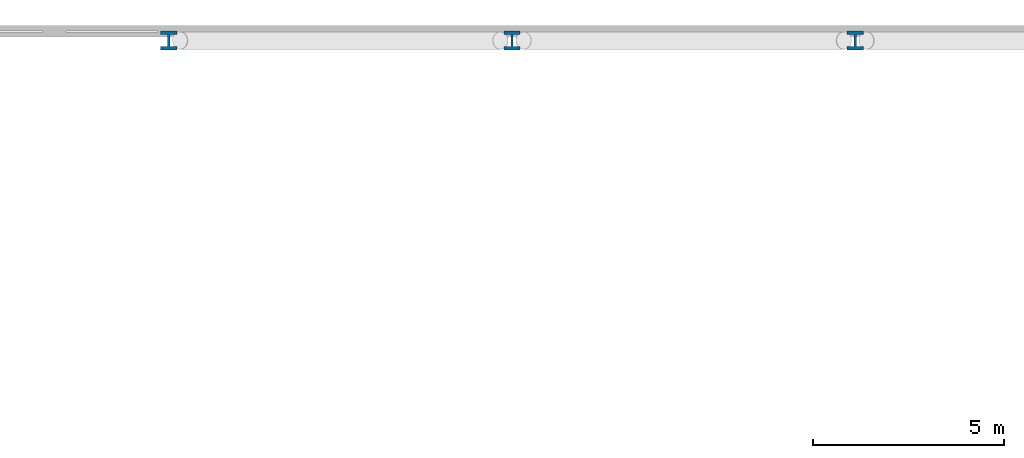
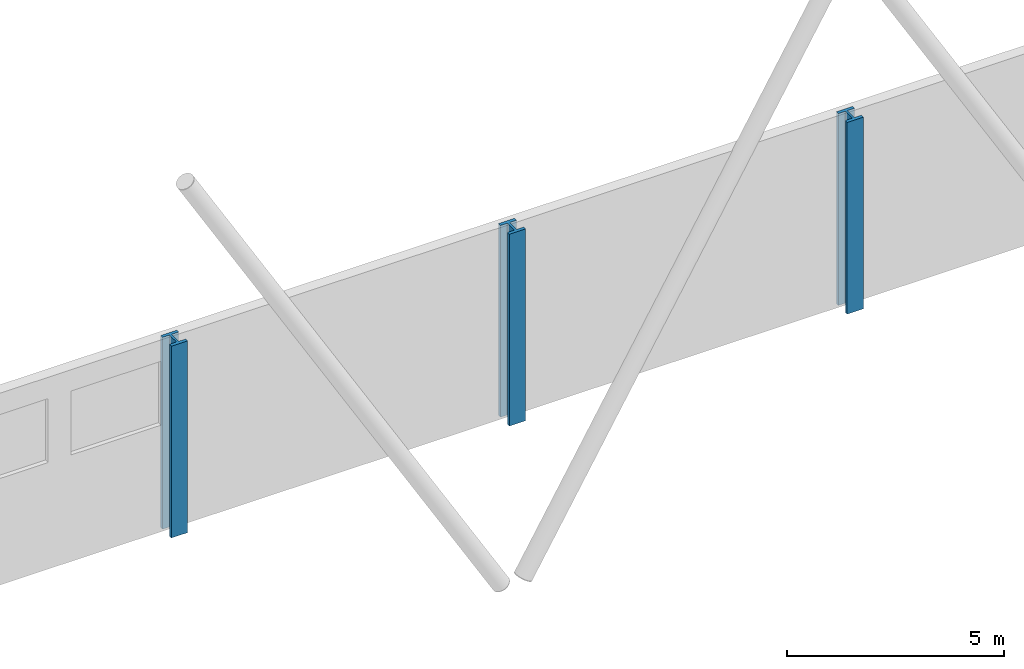
# One storey, part 6 of 46: 3 columns.
"""IFC4 building model written with IfcOpenShell, lengths in metres."""

from ifc_helpers import new_model, si_unit, direction, frame, origin, origin_2d, place, context, subcontext, project, spatial, i_section, extrude, material, material_profile, profile_set, type_object, element, save


model = new_model("IFC4")

# Units and contexts
model_context = context("Model", 3, precision=1e-05, world=origin(), true_north=direction((0.0, 1.0)))
body_context = subcontext(model_context, "Body", "Model", "MODEL_VIEW")
ifc_project = project(units=[si_unit("LENGTHUNIT", "METRE"), si_unit("AREAUNIT", "SQUARE_METRE"), si_unit("VOLUMEUNIT", "CUBIC_METRE"), si_unit("PLANEANGLEUNIT", "RADIAN"), si_unit("MASSUNIT", "GRAM", prefix="KILO")], contexts=[model_context])

# Site, building, storey
site_placement = place(None, origin())
site = spatial("IfcSite", under=ifc_project, at=site_placement, CompositionType="ELEMENT")
building_placement = place(site_placement, origin())
building = spatial("IfcBuilding", under=site, at=building_placement, Name="Azimuth Sports and Learning Centre", CompositionType="ELEMENT")
storey_placement = place(building_placement, frame((0.0, 0.0, 21.60009765625)))
storey = spatial("IfcBuildingStorey", under=building, at=storey_placement, Name="L04", CompositionType="ELEMENT", Elevation=21.60009765625)

# Columns
ifc_material = material(Name="Steel S460", Category="steel")
ifc_material_profile = material_profile(ifc_material, i_section(OverallWidth=0.431884765625, OverallDepth=0.498046875, WebThickness=0.0556640625, FlangeThickness=0.0888671875, FilletRadius=0.014892578125, at=origin_2d()), Name="HD 400x744")
ifc_profile_set = profile_set([ifc_material_profile], Name="Steel S460")
column_type = type_object("IfcColumnType", Name="Column HD 400x744", PredefinedType="COLUMN", material=ifc_profile_set)
for number, where, z_axis, x_axis, name in (
    (1, (72.0, 117.0, 0.0), (0.0, 0.0, 1.0), (1.0, 0.0, 0.0), "Column 9P L04"),
    (2, (81.0, 117.0, 0.0), (0.0, 0.0, 1.0), (1.0, 0.0, 0.0), "Column 10P L04"),
    (3, (90.0, 117.0, 0.0), (0.0, 0.0, 1.0), (1.0, 0.0, 0.0), "Column 11P L04"),
):
    element("IfcColumn", number, at=place(storey_placement, frame(where, z_axis=z_axis, x_axis=x_axis)), inside=storey, type_object=column_type, Name=name, PredefinedType="COLUMN", context=body_context, shape_type="SweptSolid", body=[
        extrude(i_section(OverallWidth=0.431884765625, OverallDepth=0.498046875, WebThickness=0.0556640625, FlangeThickness=0.0888671875, FilletRadius=0.014892578125, at=origin_2d()), origin(), (0.0, 0.0, 1.0), 5.39990234375),
    ])

save(model, "model.ifc")
